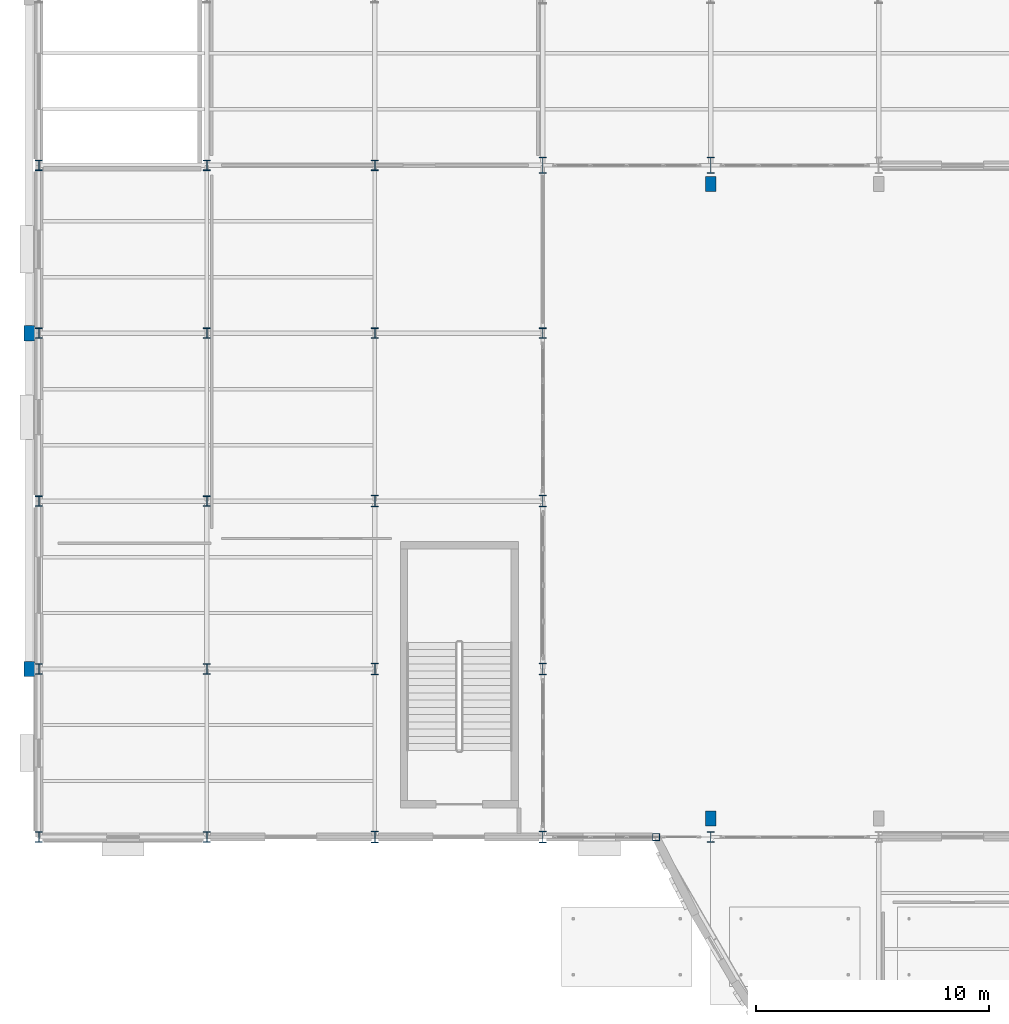
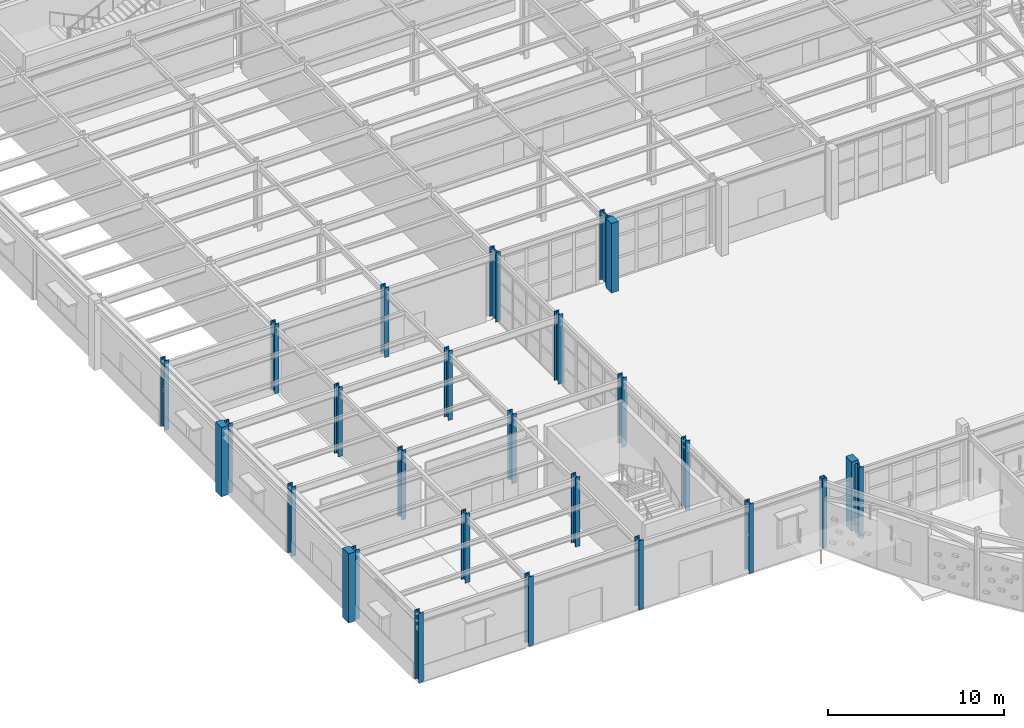
# One storey, part 2 of 83: 27 columns.
"""IFC4 building model written with IfcOpenShell, lengths in metres."""

from ifc_helpers import new_model, si_unit, direction, frame, origin, origin_2d, place, context, subcontext, project, spatial, rectangle, hollow_rectangle, i_section, extrude, material, material_profile, profile_set, type_object, element, save


model = new_model("IFC4")

# Units and contexts
model_context = context("Model", 3, precision=1e-05, world=origin(), true_north=direction((0.0, 1.0)))
body_context = subcontext(model_context, "Body", "Model", "MODEL_VIEW")
ifc_project = project(units=[si_unit("LENGTHUNIT", "METRE"), si_unit("AREAUNIT", "SQUARE_METRE"), si_unit("VOLUMEUNIT", "CUBIC_METRE"), si_unit("PLANEANGLEUNIT", "RADIAN"), si_unit("MASSUNIT", "GRAM", prefix="KILO")], contexts=[model_context])

# Site, building, storey
site_placement = place(None, origin())
site = spatial("IfcSite", under=ifc_project, at=site_placement, CompositionType="ELEMENT")
building_placement = place(site_placement, origin())
building = spatial("IfcBuilding", under=site, at=building_placement, Name="Solvadek Multi-Sports Hall", CompositionType="ELEMENT")
storey_placement = place(building_placement, origin())
storey = spatial("IfcBuildingStorey", under=building, at=storey_placement, Name="L00", CompositionType="ELEMENT", Elevation=0.0)

# Columns
ifc_material_1 = material(Name="Steel E350 (350 MPa)", Category="steel")
ifc_material_profile_1 = material_profile(ifc_material_1, hollow_rectangle(XDim=0.300048828125, YDim=0.300048828125, WallThickness=0.012451171875, at=origin_2d()), Name="SHS 300x300x12.5")
ifc_profile_set_1 = profile_set([ifc_material_profile_1], Name="Steel E350 (350 MPa)")
column_type_1 = type_object("IfcColumnType", Name="STR-COL-SHS300", PredefinedType="COLUMN", material=ifc_profile_set_1)
column_placement = place(storey_placement, frame((26.45458984375, 20.39990234375, 0.0), z_axis=(0.0, 0.0, 1.0), x_axis=(1.0, 0.0, 0.0)))
element("IfcColumn", 1, at=column_placement, inside=storey, type_object=column_type_1, Name="L00 Column C-10 #266", PredefinedType="COLUMN", context=body_context, shape_type="SweptSolid", body=[
    extrude(hollow_rectangle(XDim=0.300048828125, YDim=0.300048828125, WallThickness=0.012451171875, at=origin_2d()), origin(), (0.0, 0.0, 1.0), 4.800048828125),
])
ifc_material_profile_2 = material_profile(ifc_material_1, i_section(OverallWidth=0.300048828125, OverallDepth=0.449951171875, WebThickness=0.013916015625, FlangeThickness=0.02587890625, at=origin_2d()), Name="WPB 450")
ifc_profile_set_2 = profile_set([ifc_material_profile_2], Name="Steel E350 (350 MPa)")
column_type_2 = type_object("IfcColumnType", Name="STR-COL-WPB450", PredefinedType="COLUMN", material=ifc_profile_set_2)
for number, where, z_axis, x_axis, name in (
    (2, (0.0, 20.39990234375, 0.0), (0.0, 0.0, 1.0), (1.0, 0.0, 0.0), "L00 Column C-06 #1"),
    (3, (0.0, 27.60009765625, 0.0), (0.0, 0.0, 1.0), (1.0, 0.0, 0.0), "L00 Column C-06 #2"),
    (4, (0.0, 34.800048828125, 0.0), (0.0, 0.0, 1.0), (1.0, 0.0, 0.0), "L00 Column C-06 #3"),
    (5, (0.0, 42.0, 0.0), (0.0, 0.0, 1.0), (1.0, 0.0, 0.0), "L00 Column C-06 #4"),
    (6, (0.0, 49.199951171875, 0.0), (0.0, 0.0, 1.0), (1.0, 0.0, 0.0), "L00 Column C-06 #5"),
    (7, (7.199951171875, 20.39990234375, 0.0), (0.0, 0.0, 1.0), (1.0, 0.0, 0.0), "L00 Column C-06 #14"),
    (8, (7.199951171875, 27.60009765625, 0.0), (0.0, 0.0, 1.0), (1.0, 0.0, 0.0), "L00 Column C-06 #15"),
    (9, (7.199951171875, 34.800048828125, 0.0), (0.0, 0.0, 1.0), (1.0, 0.0, 0.0), "L00 Column C-06 #16"),
    (10, (7.199951171875, 42.0, 0.0), (0.0, 0.0, 1.0), (1.0, 0.0, 0.0), "L00 Column C-06 #17"),
    (11, (7.199951171875, 49.199951171875, 0.0), (0.0, 0.0, 1.0), (1.0, 0.0, 0.0), "L00 Column C-06 #18"),
    (12, (14.39990234375, 42.0, 0.0), (0.0, 0.0, 1.0), (1.0, 0.0, 0.0), "L00 Column C-06 #30"),
    (13, (14.39990234375, 49.199951171875, 0.0), (0.0, 0.0, 1.0), (1.0, 0.0, 0.0), "L00 Column C-06 #31"),
    (14, (21.60009765625, 42.0, 0.0), (0.0, 0.0, 1.0), (1.0, 0.0, 0.0), "L00 Column C-06 #43"),
    (15, (28.800048828125, 20.39990234375, 0.0), (0.0, 0.0, 1.0), (1.0, 0.0, 0.0), "L00 Column C-06 #53"),
):
    element("IfcColumn", number, at=place(storey_placement, frame(where, z_axis=z_axis, x_axis=x_axis)), inside=storey, type_object=column_type_2, Name=name, PredefinedType="COLUMN", context=body_context, shape_type="SweptSolid", body=[
        extrude(i_section(OverallWidth=0.300048828125, OverallDepth=0.449951171875, WebThickness=0.013916015625, FlangeThickness=0.02587890625, at=origin_2d()), origin(), (0.0, 0.0, 1.0), 4.800048828125),
    ])
ifc_material_profile_3 = material_profile(ifc_material_1, i_section(OverallWidth=0.300048828125, OverallDepth=0.5, WebThickness=0.014404296875, FlangeThickness=0.028076171875, at=origin_2d()), Name="WPB 500")
ifc_profile_set_3 = profile_set([ifc_material_profile_3], Name="Steel E350 (350 MPa)")
column_type_3 = type_object("IfcColumnType", Name="STR-COL-WPB500", PredefinedType="COLUMN", material=ifc_profile_set_3)
for number, where, z_axis, x_axis, name in (
    (16, (14.39990234375, 20.39990234375, 0.0), (0.0, 0.0, 1.0), (1.0, 0.0, 0.0), "L00 Column C-05 #27"),
    (17, (14.39990234375, 27.60009765625, 0.0), (0.0, 0.0, 1.0), (1.0, 0.0, 0.0), "L00 Column C-05 #28"),
    (18, (14.39990234375, 34.800048828125, 0.0), (0.0, 0.0, 1.0), (1.0, 0.0, 0.0), "L00 Column C-05 #29"),
    (19, (21.60009765625, 20.39990234375, 0.0), (0.0, 0.0, 1.0), (1.0, 0.0, 0.0), "L00 Column C-05 #40"),
    (20, (21.60009765625, 27.60009765625, 0.0), (0.0, 0.0, 1.0), (1.0, 0.0, 0.0), "L00 Column C-05 #41"),
    (21, (21.60009765625, 34.800048828125, 0.0), (0.0, 0.0, 1.0), (1.0, 0.0, 0.0), "L00 Column C-05 #42"),
):
    element("IfcColumn", number, at=place(storey_placement, frame(where, z_axis=z_axis, x_axis=x_axis)), inside=storey, type_object=column_type_3, Name=name, PredefinedType="COLUMN", context=body_context, shape_type="SweptSolid", body=[
        extrude(i_section(OverallWidth=0.300048828125, OverallDepth=0.5, WebThickness=0.014404296875, FlangeThickness=0.028076171875, at=origin_2d()), origin(), (0.0, 0.0, 1.0), 4.800048828125),
    ])
ifc_material_profile_4 = material_profile(ifc_material_1, i_section(OverallWidth=0.300048828125, OverallDepth=0.699951171875, WebThickness=0.01708984375, FlangeThickness=0.031982421875, at=origin_2d()), Name="WPB 700")
ifc_profile_set_4 = profile_set([ifc_material_profile_4], Name="Steel E350 (350 MPa)")
column_type_4 = type_object("IfcColumnType", Name="STR-COL-WPB700", PredefinedType="COLUMN", material=ifc_profile_set_4)
for number, where, z_axis, x_axis, name in (
    (22, (21.60009765625, 49.199951171875, 0.0), (0.0, 0.0, 1.0), (1.0, 0.0, 0.0), "L00 Column C-02 #44"),
    (23, (28.800048828125, 49.199951171875, 0.0), (0.0, 0.0, 1.0), (1.0, 0.0, 0.0), "L00 Column C-02 #57"),
):
    element("IfcColumn", number, at=place(storey_placement, frame(where, z_axis=z_axis, x_axis=x_axis)), inside=storey, type_object=column_type_4, Name=name, PredefinedType="COLUMN", context=body_context, shape_type="SweptSolid", body=[
        extrude(i_section(OverallWidth=0.300048828125, OverallDepth=0.699951171875, WebThickness=0.01708984375, FlangeThickness=0.031982421875, at=origin_2d()), origin(), (0.0, 0.0, 1.0), 4.800048828125),
    ])
ifc_material_2 = material(Name="Precast concrete M40", Category="concrete")
ifc_material_profile_5 = material_profile(ifc_material_2, rectangle(XDim=0.449951171875, YDim=0.64990234375, at=origin_2d()), Name="RC PILASTER 650x450")
ifc_profile_set_5 = profile_set([ifc_material_profile_5], Name="Precast concrete M40")
column_type_5 = type_object("IfcColumnType", Name="STR-PIL-650X450", PredefinedType="PILASTER", material=ifc_profile_set_5)
for number, where, z_axis, x_axis, name in (
    (24, (-0.419921875, 27.60009765625, 0.0), (0.0, 0.0, 1.0), (1.0, 0.0, 0.0), "L00 Column CP-01 #312"),
    (25, (-0.419921875, 42.0, 0.0), (0.0, 0.0, 1.0), (1.0, 0.0, 0.0), "L00 Column CP-01 #313"),
    (26, (28.800048828125, 21.199951171875, 0.0), (0.0, 0.0, 1.0), (1.0, 0.0, 0.0), "L00 Column CP-01 #323"),
    (27, (28.800048828125, 48.39990234375, 0.0), (0.0, 0.0, 1.0), (1.0, 0.0, 0.0), "L00 Column CP-01 #324"),
):
    element("IfcColumn", number, at=place(storey_placement, frame(where, z_axis=z_axis, x_axis=x_axis)), inside=storey, type_object=column_type_5, Name=name, PredefinedType="PILASTER", context=body_context, shape_type="SweptSolid", body=[
        extrude(rectangle(XDim=0.449951171875, YDim=0.64990234375, at=origin_2d()), origin(), (0.0, 0.0, 1.0), 4.800048828125),
    ])

save(model, "model.ifc")
